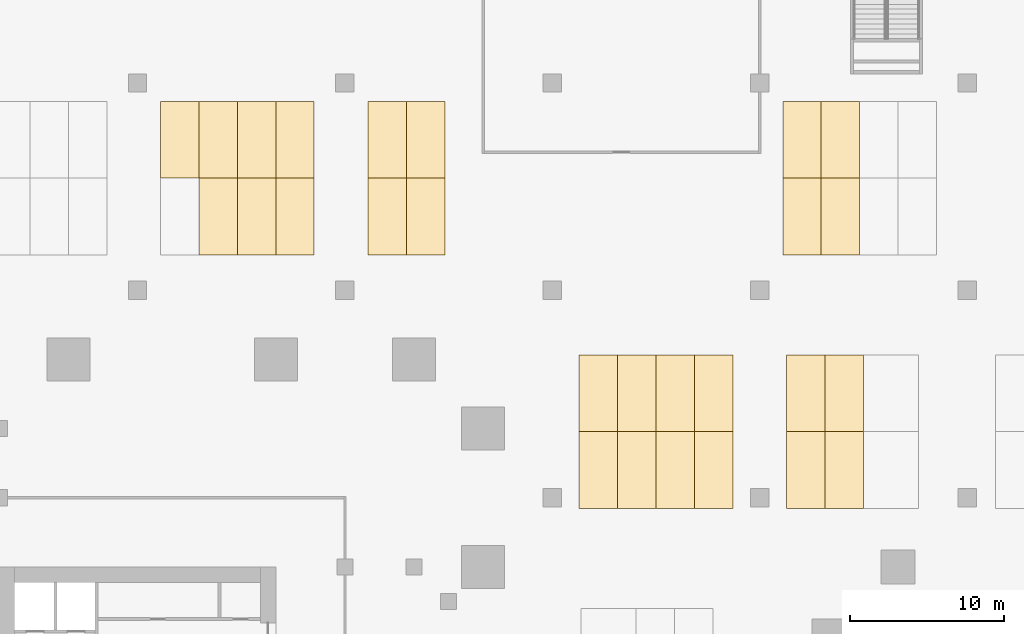
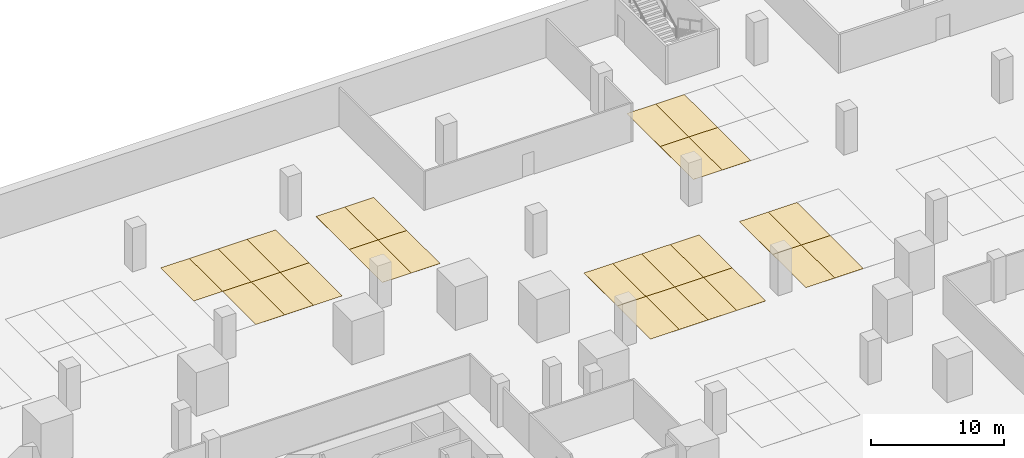
# One storey, part 26 of 31: 27 coverings.
"""IFC4 building model written with IfcOpenShell, lengths in metres."""

from ifc_helpers import new_model, si_unit, direction, frame, origin, place, context, subcontext, project, spatial, polyline, outline, extrude, material, layer, layer_set, type_object, element, save


model = new_model("IFC4")

# Units and contexts
model_context = context("Model", 3, precision=1e-05, world=origin(), true_north=direction((0.0, 1.0)))
body_context = subcontext(model_context, "Body", "Model", "MODEL_VIEW")
ifc_project = project(units=[si_unit("LENGTHUNIT", "METRE"), si_unit("AREAUNIT", "SQUARE_METRE"), si_unit("VOLUMEUNIT", "CUBIC_METRE"), si_unit("PLANEANGLEUNIT", "RADIAN"), si_unit("MASSUNIT", "GRAM", prefix="KILO")], contexts=[model_context])

# Site, building, storey
site_placement = place(None, origin())
site = spatial("IfcSite", under=ifc_project, at=site_placement, CompositionType="ELEMENT")
building_placement = place(site_placement, origin())
building = spatial("IfcBuilding", under=site, at=building_placement, Name="Altepetl Exchange Towers", CompositionType="ELEMENT")
storey_placement = place(building_placement, frame((0.0, 0.0, -4.0)))
storey = spatial("IfcBuildingStorey", under=building, at=storey_placement, Name="B1 Basement services", CompositionType="ELEMENT", Elevation=-4.0)

# Coverings
ifc_material = material(Name="Road marking paint")
ifc_layer = layer(ifc_material, 0.010009765625)
ifc_layer_set = layer_set([ifc_layer], Name="Road marking paint")
covering_type = type_object("IfcCoveringType", Name="Parking bay marking 2500 x 5000", PredefinedType="FLOORING", material=ifc_layer_set)
covering_1_placement = place(storey_placement, origin())
element("IfcCovering", 1, at=covering_1_placement, inside=storey, type_object=covering_type, Name="Parking bay B1-088", PredefinedType="FLOORING", context=body_context, shape_type="SweptSolid", body=[
    extrude(outline(polyline([(78.25, 62.300048828125), (80.75, 62.300048828125), (80.75, 67.300048828125), (78.25, 67.300048828125), (78.25, 62.300048828125)])), origin(), (0.0, 0.0, 1.0), 0.010009765625),
])
covering_2_placement = place(storey_placement, origin())
element("IfcCovering", 2, at=covering_2_placement, inside=storey, type_object=covering_type, Name="Parking bay B1-089", PredefinedType="FLOORING", context=body_context, shape_type="SweptSolid", body=[
    extrude(outline(polyline([(80.75, 62.300048828125), (83.25, 62.300048828125), (83.25, 67.300048828125), (80.75, 67.300048828125), (80.75, 62.300048828125)])), origin(), (0.0, 0.0, 1.0), 0.010009765625),
])
covering_3_placement = place(storey_placement, origin())
element("IfcCovering", 3, at=covering_3_placement, inside=storey, type_object=covering_type, Name="Parking bay B1-090", PredefinedType="FLOORING", context=body_context, shape_type="SweptSolid", body=[
    extrude(outline(polyline([(83.25, 62.300048828125), (85.75, 62.300048828125), (85.75, 67.300048828125), (83.25, 67.300048828125), (83.25, 62.300048828125)])), origin(), (0.0, 0.0, 1.0), 0.010009765625),
])
covering_4_placement = place(storey_placement, origin())
element("IfcCovering", 4, at=covering_4_placement, inside=storey, type_object=covering_type, Name="Parking bay B1-091", PredefinedType="FLOORING", context=body_context, shape_type="SweptSolid", body=[
    extrude(outline(polyline([(85.75, 62.300048828125), (88.25, 62.300048828125), (88.25, 67.300048828125), (85.75, 67.300048828125), (85.75, 62.300048828125)])), origin(), (0.0, 0.0, 1.0), 0.010009765625),
])
covering_5_placement = place(storey_placement, origin())
element("IfcCovering", 5, at=covering_5_placement, inside=storey, type_object=covering_type, Name="Parking bay B1-092", PredefinedType="FLOORING", context=body_context, shape_type="SweptSolid", body=[
    extrude(outline(polyline([(91.75, 62.300048828125), (94.25, 62.300048828125), (94.25, 67.300048828125), (91.75, 67.300048828125), (91.75, 62.300048828125)])), origin(), (0.0, 0.0, 1.0), 0.010009765625),
])
covering_6_placement = place(storey_placement, origin())
element("IfcCovering", 6, at=covering_6_placement, inside=storey, type_object=covering_type, Name="Parking bay B1-093", PredefinedType="FLOORING", context=body_context, shape_type="SweptSolid", body=[
    extrude(outline(polyline([(94.25, 62.300048828125), (96.75, 62.300048828125), (96.75, 67.300048828125), (94.25, 67.300048828125), (94.25, 62.300048828125)])), origin(), (0.0, 0.0, 1.0), 0.010009765625),
])
covering_7_placement = place(storey_placement, origin())
element("IfcCovering", 7, at=covering_7_placement, inside=storey, type_object=covering_type, Name="Parking bay B1-100", PredefinedType="FLOORING", context=body_context, shape_type="SweptSolid", body=[
    extrude(outline(polyline([(78.25, 67.300048828125), (80.75, 67.300048828125), (80.75, 72.300048828125), (78.25, 72.300048828125), (78.25, 67.300048828125)])), origin(), (0.0, 0.0, 1.0), 0.010009765625),
])
covering_8_placement = place(storey_placement, origin())
element("IfcCovering", 8, at=covering_8_placement, inside=storey, type_object=covering_type, Name="Parking bay B1-101", PredefinedType="FLOORING", context=body_context, shape_type="SweptSolid", body=[
    extrude(outline(polyline([(80.75, 67.300048828125), (83.25, 67.300048828125), (83.25, 72.300048828125), (80.75, 72.300048828125), (80.75, 67.300048828125)])), origin(), (0.0, 0.0, 1.0), 0.010009765625),
])
covering_9_placement = place(storey_placement, origin())
element("IfcCovering", 9, at=covering_9_placement, inside=storey, type_object=covering_type, Name="Parking bay B1-102", PredefinedType="FLOORING", context=body_context, shape_type="SweptSolid", body=[
    extrude(outline(polyline([(83.25, 67.300048828125), (85.75, 67.300048828125), (85.75, 72.300048828125), (83.25, 72.300048828125), (83.25, 67.300048828125)])), origin(), (0.0, 0.0, 1.0), 0.010009765625),
])
covering_10_placement = place(storey_placement, origin())
element("IfcCovering", 10, at=covering_10_placement, inside=storey, type_object=covering_type, Name="Parking bay B1-103", PredefinedType="FLOORING", context=body_context, shape_type="SweptSolid", body=[
    extrude(outline(polyline([(85.75, 67.300048828125), (88.25, 67.300048828125), (88.25, 72.300048828125), (85.75, 72.300048828125), (85.75, 67.300048828125)])), origin(), (0.0, 0.0, 1.0), 0.010009765625),
])
covering_11_placement = place(storey_placement, origin())
element("IfcCovering", 11, at=covering_11_placement, inside=storey, type_object=covering_type, Name="Parking bay B1-104", PredefinedType="FLOORING", context=body_context, shape_type="SweptSolid", body=[
    extrude(outline(polyline([(91.75, 67.300048828125), (94.25, 67.300048828125), (94.25, 72.300048828125), (91.75, 72.300048828125), (91.75, 67.300048828125)])), origin(), (0.0, 0.0, 1.0), 0.010009765625),
])
covering_12_placement = place(storey_placement, origin())
element("IfcCovering", 12, at=covering_12_placement, inside=storey, type_object=covering_type, Name="Parking bay B1-105", PredefinedType="FLOORING", context=body_context, shape_type="SweptSolid", body=[
    extrude(outline(polyline([(94.25, 67.300048828125), (96.75, 67.300048828125), (96.75, 72.300048828125), (94.25, 72.300048828125), (94.25, 67.300048828125)])), origin(), (0.0, 0.0, 1.0), 0.010009765625),
])
covering_13_placement = place(storey_placement, origin())
element("IfcCovering", 13, at=covering_13_placement, inside=storey, type_object=covering_type, Name="Parking bay B1-121", PredefinedType="FLOORING", context=body_context, shape_type="SweptSolid", body=[
    extrude(outline(polyline([(53.5, 78.800048828125), (56.0, 78.800048828125), (56.0, 83.800048828125), (53.5, 83.800048828125), (53.5, 78.800048828125)])), origin(), (0.0, 0.0, 1.0), 0.010009765625),
])
covering_14_placement = place(storey_placement, origin())
element("IfcCovering", 14, at=covering_14_placement, inside=storey, type_object=covering_type, Name="Parking bay B1-122", PredefinedType="FLOORING", context=body_context, shape_type="SweptSolid", body=[
    extrude(outline(polyline([(56.0, 78.800048828125), (58.5, 78.800048828125), (58.5, 83.800048828125), (56.0, 83.800048828125), (56.0, 78.800048828125)])), origin(), (0.0, 0.0, 1.0), 0.010009765625),
])
covering_15_placement = place(storey_placement, origin())
element("IfcCovering", 15, at=covering_15_placement, inside=storey, type_object=covering_type, Name="Parking bay B1-123", PredefinedType="FLOORING", context=body_context, shape_type="SweptSolid", body=[
    extrude(outline(polyline([(58.5, 78.800048828125), (61.0, 78.800048828125), (61.0, 83.800048828125), (58.5, 83.800048828125), (58.5, 78.800048828125)])), origin(), (0.0, 0.0, 1.0), 0.010009765625),
])
covering_16_placement = place(storey_placement, origin())
element("IfcCovering", 16, at=covering_16_placement, inside=storey, type_object=covering_type, Name="Parking bay B1-124", PredefinedType="FLOORING", context=body_context, shape_type="SweptSolid", body=[
    extrude(outline(polyline([(64.5, 78.800048828125), (67.0, 78.800048828125), (67.0, 83.800048828125), (64.5, 83.800048828125), (64.5, 78.800048828125)])), origin(), (0.0, 0.0, 1.0), 0.010009765625),
])
covering_17_placement = place(storey_placement, origin())
element("IfcCovering", 17, at=covering_17_placement, inside=storey, type_object=covering_type, Name="Parking bay B1-125", PredefinedType="FLOORING", context=body_context, shape_type="SweptSolid", body=[
    extrude(outline(polyline([(67.0, 78.800048828125), (69.5, 78.800048828125), (69.5, 83.800048828125), (67.0, 83.800048828125), (67.0, 78.800048828125)])), origin(), (0.0, 0.0, 1.0), 0.010009765625),
])
covering_18_placement = place(storey_placement, origin())
element("IfcCovering", 18, at=covering_18_placement, inside=storey, type_object=covering_type, Name="Parking bay B1-126", PredefinedType="FLOORING", context=body_context, shape_type="SweptSolid", body=[
    extrude(outline(polyline([(91.5, 78.800048828125), (94.0, 78.800048828125), (94.0, 83.800048828125), (91.5, 83.800048828125), (91.5, 78.800048828125)])), origin(), (0.0, 0.0, 1.0), 0.010009765625),
])
covering_19_placement = place(storey_placement, origin())
element("IfcCovering", 19, at=covering_19_placement, inside=storey, type_object=covering_type, Name="Parking bay B1-127", PredefinedType="FLOORING", context=body_context, shape_type="SweptSolid", body=[
    extrude(outline(polyline([(94.0, 78.800048828125), (96.5, 78.800048828125), (96.5, 83.800048828125), (94.0, 83.800048828125), (94.0, 78.800048828125)])), origin(), (0.0, 0.0, 1.0), 0.010009765625),
])
covering_20_placement = place(storey_placement, origin())
element("IfcCovering", 20, at=covering_20_placement, inside=storey, type_object=covering_type, Name="Parking bay B1-138", PredefinedType="FLOORING", context=body_context, shape_type="SweptSolid", body=[
    extrude(outline(polyline([(51.0, 83.800048828125), (53.5, 83.800048828125), (53.5, 88.800048828125), (51.0, 88.800048828125), (51.0, 83.800048828125)])), origin(), (0.0, 0.0, 1.0), 0.010009765625),
])
covering_21_placement = place(storey_placement, origin())
element("IfcCovering", 21, at=covering_21_placement, inside=storey, type_object=covering_type, Name="Parking bay B1-139", PredefinedType="FLOORING", context=body_context, shape_type="SweptSolid", body=[
    extrude(outline(polyline([(53.5, 83.800048828125), (56.0, 83.800048828125), (56.0, 88.800048828125), (53.5, 88.800048828125), (53.5, 83.800048828125)])), origin(), (0.0, 0.0, 1.0), 0.010009765625),
])
covering_22_placement = place(storey_placement, origin())
element("IfcCovering", 22, at=covering_22_placement, inside=storey, type_object=covering_type, Name="Parking bay B1-140", PredefinedType="FLOORING", context=body_context, shape_type="SweptSolid", body=[
    extrude(outline(polyline([(56.0, 83.800048828125), (58.5, 83.800048828125), (58.5, 88.800048828125), (56.0, 88.800048828125), (56.0, 83.800048828125)])), origin(), (0.0, 0.0, 1.0), 0.010009765625),
])
covering_23_placement = place(storey_placement, origin())
element("IfcCovering", 23, at=covering_23_placement, inside=storey, type_object=covering_type, Name="Parking bay B1-141", PredefinedType="FLOORING", context=body_context, shape_type="SweptSolid", body=[
    extrude(outline(polyline([(58.5, 83.800048828125), (61.0, 83.800048828125), (61.0, 88.800048828125), (58.5, 88.800048828125), (58.5, 83.800048828125)])), origin(), (0.0, 0.0, 1.0), 0.010009765625),
])
covering_24_placement = place(storey_placement, origin())
element("IfcCovering", 24, at=covering_24_placement, inside=storey, type_object=covering_type, Name="Parking bay B1-142", PredefinedType="FLOORING", context=body_context, shape_type="SweptSolid", body=[
    extrude(outline(polyline([(64.5, 83.800048828125), (67.0, 83.800048828125), (67.0, 88.800048828125), (64.5, 88.800048828125), (64.5, 83.800048828125)])), origin(), (0.0, 0.0, 1.0), 0.010009765625),
])
covering_25_placement = place(storey_placement, origin())
element("IfcCovering", 25, at=covering_25_placement, inside=storey, type_object=covering_type, Name="Parking bay B1-143", PredefinedType="FLOORING", context=body_context, shape_type="SweptSolid", body=[
    extrude(outline(polyline([(67.0, 83.800048828125), (69.5, 83.800048828125), (69.5, 88.800048828125), (67.0, 88.800048828125), (67.0, 83.800048828125)])), origin(), (0.0, 0.0, 1.0), 0.010009765625),
])
covering_26_placement = place(storey_placement, origin())
element("IfcCovering", 26, at=covering_26_placement, inside=storey, type_object=covering_type, Name="Parking bay B1-144", PredefinedType="FLOORING", context=body_context, shape_type="SweptSolid", body=[
    extrude(outline(polyline([(91.5, 83.800048828125), (94.0, 83.800048828125), (94.0, 88.800048828125), (91.5, 88.800048828125), (91.5, 83.800048828125)])), origin(), (0.0, 0.0, 1.0), 0.010009765625),
])
covering_27_placement = place(storey_placement, origin())
element("IfcCovering", 27, at=covering_27_placement, inside=storey, type_object=covering_type, Name="Parking bay B1-145", PredefinedType="FLOORING", context=body_context, shape_type="SweptSolid", body=[
    extrude(outline(polyline([(94.0, 83.800048828125), (96.5, 83.800048828125), (96.5, 88.800048828125), (94.0, 88.800048828125), (94.0, 83.800048828125)])), origin(), (0.0, 0.0, 1.0), 0.010009765625),
])

save(model, "model.ifc")
